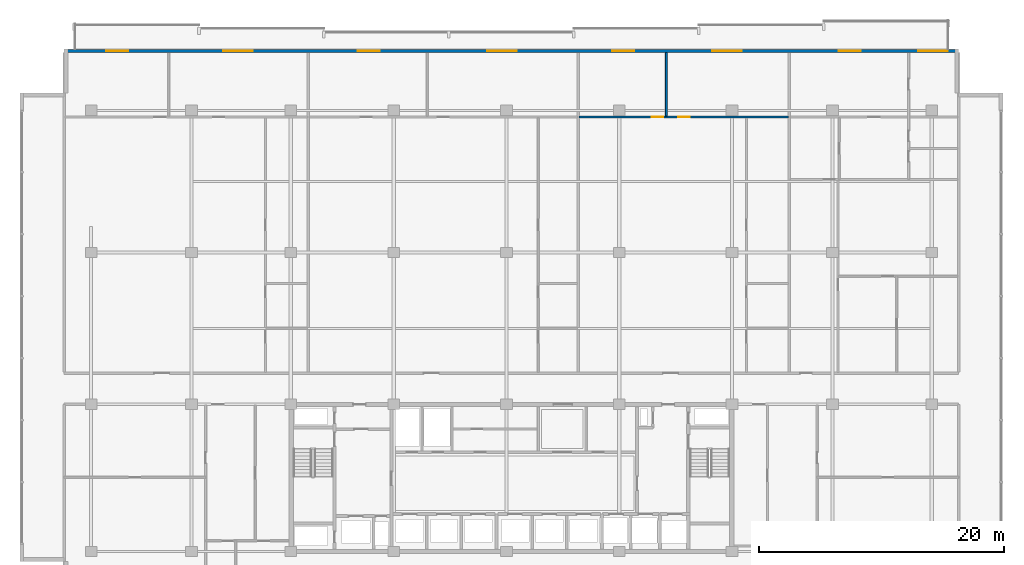
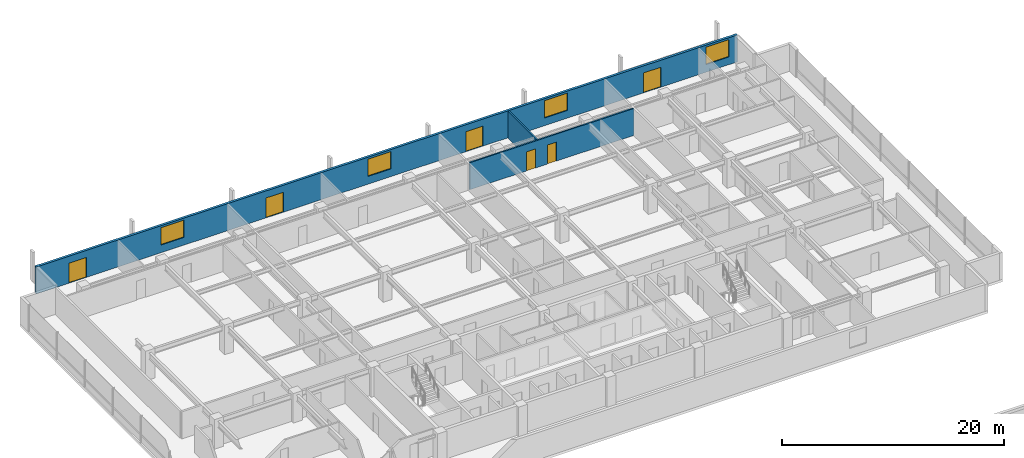
# One storey, part 31 of 38: 6 doors, 4 windows, 3 walls, 10 openings.
"""IFC4 building model written with IfcOpenShell, lengths in metres."""

from ifc_helpers import new_model, si_unit, direction, frame, frame_2d, origin, place, context, subcontext, project, spatial, rectangle, extrude, material, layer, layer_set, type_object, element, fill, save


model = new_model("IFC4")

# Units and contexts
model_context = context("Model", 3, precision=1e-05, world=origin(), true_north=direction((0.0, 1.0)))
body_context = subcontext(model_context, "Body", "Model", "MODEL_VIEW")
ifc_project = project(units=[si_unit("LENGTHUNIT", "METRE"), si_unit("AREAUNIT", "SQUARE_METRE"), si_unit("VOLUMEUNIT", "CUBIC_METRE"), si_unit("PLANEANGLEUNIT", "RADIAN"), si_unit("MASSUNIT", "GRAM", prefix="KILO")], contexts=[model_context])

# Site, building, storey
site_placement = place(None, origin())
site = spatial("IfcSite", under=ifc_project, at=site_placement, CompositionType="ELEMENT")
building_placement = place(site_placement, origin())
building = spatial("IfcBuilding", under=site, at=building_placement, Name="Korimba Cascade Residences", CompositionType="ELEMENT")
storey_placement = place(building_placement, frame((0.0, 0.0, 93.800048828125)))
storey = spatial("IfcBuildingStorey", under=building, at=storey_placement, Name="L26", CompositionType="ELEMENT", Elevation=93.800048828125)

# Wall, openings, doors, windows
ifc_material_1 = material(Name="Precast concrete C40/50", Category="concrete")
ifc_layer_1 = layer(ifc_material_1, 0.25)
ifc_layer_set_1 = layer_set([ifc_layer_1], Name="Precast concrete C40/50")
wall_type_1 = type_object("IfcWallType", Name="EW-LOG-250", PredefinedType="STANDARD", material=ifc_layer_set_1)
wall_1_placement = place(storey_placement, frame((130.60009765625, 96.050048828125, 0.0), z_axis=(0.0, 0.0, 1.0), x_axis=(-1.0, 0.0, 0.0)))
wall_1 = element("IfcWall", 1, at=wall_1_placement, inside=storey, type_object=wall_type_1, Name="L26 T1 Perimeter Stone Wall E06", PredefinedType="STANDARD", context=body_context, shape_type="SweptSolid", body=[
    extrude(rectangle(XDim=73.0, YDim=0.25, at=frame_2d((36.5, 0.0))), origin(), (0.0, 0.0, 1.0), 2.969970703125),
])
opening_1_placement = place(wall_1_placement, frame((67.767822265625, 0.0, 0.0)))
opening_1 = element("IfcOpeningElement", 2, at=opening_1_placement, cuts=wall_1, Name="Opening D-LG1", PredefinedType="OPENING", context=body_context, shape_type="SweptSolid", body=[
    extrude(rectangle(XDim=1.800048828125, YDim=2.199951171875, at=frame_2d((0.89990234375, 1.10009765625))), frame((0.0, 0.135009765625, 0.0), z_axis=(0.0, -1.0, 0.0), x_axis=(1.0, 0.0, 0.0)), (0.0, 0.0, 1.0), 0.27001953125),
])
opening_2_placement = place(wall_1_placement, frame((57.623779296875, 0.0, 0.85009765625)))
opening_2 = element("IfcOpeningElement", 3, at=opening_2_placement, cuts=wall_1, Name="Opening W-01", PredefinedType="OPENING", context=body_context, shape_type="SweptSolid", body=[
    extrude(rectangle(XDim=2.39990234375, YDim=1.89990234375, at=frame_2d((1.199951171875, 0.949951171875))), frame((0.0, 0.135009765625, 0.0), z_axis=(0.0, -1.0, 0.0), x_axis=(1.0, 0.0, 0.0)), (0.0, 0.0, 1.0), 0.27001953125),
])
opening_3_placement = place(wall_1_placement, frame((47.256591796875, 0.0, 0.0)))
opening_3 = element("IfcOpeningElement", 4, at=opening_3_placement, cuts=wall_1, Name="Opening D-LG1", PredefinedType="OPENING", context=body_context, shape_type="SweptSolid", body=[
    extrude(rectangle(XDim=1.800048828125, YDim=2.199951171875, at=frame_2d((0.89990234375, 1.10009765625))), frame((0.0, 0.135009765625, 0.0), z_axis=(0.0, -1.0, 0.0), x_axis=(1.0, 0.0, 0.0)), (0.0, 0.0, 1.0), 0.27001953125),
])
opening_4_placement = place(wall_1_placement, frame((36.06201171875, 0.0, 0.85009765625)))
opening_4 = element("IfcOpeningElement", 5, at=opening_4_placement, cuts=wall_1, Name="Opening W-01", PredefinedType="OPENING", context=body_context, shape_type="SweptSolid", body=[
    extrude(rectangle(XDim=2.39990234375, YDim=1.89990234375, at=frame_2d((1.199951171875, 0.949951171875))), frame((0.0, 0.135009765625, 0.0), z_axis=(0.0, -1.0, 0.0), x_axis=(1.0, 0.0, 0.0)), (0.0, 0.0, 1.0), 0.27001953125),
])
opening_5_placement = place(wall_1_placement, frame((26.48583984375, 0.0, 0.0)))
opening_5 = element("IfcOpeningElement", 6, at=opening_5_placement, cuts=wall_1, Name="Opening D-LG1", PredefinedType="OPENING", context=body_context, shape_type="SweptSolid", body=[
    extrude(rectangle(XDim=1.800048828125, YDim=2.199951171875, at=frame_2d((0.89990234375, 1.10009765625))), frame((0.0, 0.135009765625, 0.0), z_axis=(0.0, -1.0, 0.0), x_axis=(1.0, 0.0, 0.0)), (0.0, 0.0, 1.0), 0.27001953125),
])
opening_6_placement = place(wall_1_placement, frame((17.693603515625, 0.0, 0.85009765625)))
opening_6 = element("IfcOpeningElement", 7, at=opening_6_placement, cuts=wall_1, Name="Opening W-01", PredefinedType="OPENING", context=body_context, shape_type="SweptSolid", body=[
    extrude(rectangle(XDim=2.39990234375, YDim=1.89990234375, at=frame_2d((1.199951171875, 0.949951171875))), frame((0.0, 0.135009765625, 0.0), z_axis=(0.0, -1.0, 0.0), x_axis=(1.0, 0.0, 0.0)), (0.0, 0.0, 1.0), 0.27001953125),
])
opening_7_placement = place(wall_1_placement, frame((7.98876953125, 0.0, 0.0)))
opening_7 = element("IfcOpeningElement", 8, at=opening_7_placement, cuts=wall_1, Name="Opening D-LG1", PredefinedType="OPENING", context=body_context, shape_type="SweptSolid", body=[
    extrude(rectangle(XDim=1.800048828125, YDim=2.199951171875, at=frame_2d((0.89990234375, 1.10009765625))), frame((0.0, 0.135009765625, 0.0), z_axis=(0.0, -1.0, 0.0), x_axis=(1.0, 0.0, 0.0)), (0.0, 0.0, 1.0), 0.27001953125),
])
opening_8_placement = place(wall_1_placement, frame((0.89990234375, 0.0, 0.85009765625)))
opening_8 = element("IfcOpeningElement", 9, at=opening_8_placement, cuts=wall_1, Name="Opening W-01", PredefinedType="OPENING", context=body_context, shape_type="SweptSolid", body=[
    extrude(rectangle(XDim=2.39990234375, YDim=1.89990234375, at=frame_2d((1.199951171875, 0.949951171875))), frame((0.0, 0.135009765625, 0.0), z_axis=(0.0, -1.0, 0.0), x_axis=(1.0, 0.0, 0.0)), (0.0, 0.0, 1.0), 0.27001953125),
])
ifc_material_2 = material(Name="Glazed Aluminium Loggia Sliding Door", Category="aluminium")
door_type_1 = type_object("IfcDoorType", Name="DR-EXT-LOG", OperationType="NOTDEFINED", PredefinedType="DOOR", material=ifc_material_2)
door_1_placement = place(opening_1_placement, origin())
door_1 = element("IfcDoor", 10, at=door_1_placement, inside=storey, type_object=door_type_1, Name="L26 T1 Loggia Sliding Door 3", OperationType="SLIDING_TO_LEFT", OverallHeight=2.199951171875, OverallWidth=1.800048828125, PredefinedType="DOOR", context=body_context, shape_type="SweptSolid", body=[
    extrude(rectangle(XDim=1.800048828125, YDim=2.199951171875, at=frame_2d((0.89990234375, 1.10009765625))), frame((0.0, 0.02490234375, 0.0), z_axis=(0.0, -1.0, 0.0), x_axis=(1.0, 0.0, 0.0)), (0.0, 0.0, 1.0), 0.050048828125),
])
fill(opening_1, door_1)
door_2_placement = place(opening_3_placement, origin())
door_2 = element("IfcDoor", 11, at=door_2_placement, inside=storey, type_object=door_type_1, Name="L26 T1 Loggia Sliding Door 5", OperationType="SLIDING_TO_LEFT", OverallHeight=2.199951171875, OverallWidth=1.800048828125, PredefinedType="DOOR", context=body_context, shape_type="SweptSolid", body=[
    extrude(rectangle(XDim=1.800048828125, YDim=2.199951171875, at=frame_2d((0.89990234375, 1.10009765625))), frame((0.0, 0.02490234375, 0.0), z_axis=(0.0, -1.0, 0.0), x_axis=(1.0, 0.0, 0.0)), (0.0, 0.0, 1.0), 0.050048828125),
])
fill(opening_3, door_2)
door_3_placement = place(opening_5_placement, origin())
door_3 = element("IfcDoor", 12, at=door_3_placement, inside=storey, type_object=door_type_1, Name="L26 T1 Loggia Sliding Door 7", OperationType="SLIDING_TO_LEFT", OverallHeight=2.199951171875, OverallWidth=1.800048828125, PredefinedType="DOOR", context=body_context, shape_type="SweptSolid", body=[
    extrude(rectangle(XDim=1.800048828125, YDim=2.199951171875, at=frame_2d((0.89990234375, 1.10009765625))), frame((0.0, 0.02490234375, 0.0), z_axis=(0.0, -1.0, 0.0), x_axis=(1.0, 0.0, 0.0)), (0.0, 0.0, 1.0), 0.050048828125),
])
fill(opening_5, door_3)
door_4_placement = place(opening_7_placement, origin())
door_4 = element("IfcDoor", 13, at=door_4_placement, inside=storey, type_object=door_type_1, Name="L26 T1 Loggia Sliding Door 9", OperationType="SLIDING_TO_LEFT", OverallHeight=2.199951171875, OverallWidth=1.800048828125, PredefinedType="DOOR", context=body_context, shape_type="SweptSolid", body=[
    extrude(rectangle(XDim=1.800048828125, YDim=2.199951171875, at=frame_2d((0.89990234375, 1.10009765625))), frame((0.0, 0.02490234375, 0.0), z_axis=(0.0, -1.0, 0.0), x_axis=(1.0, 0.0, 0.0)), (0.0, 0.0, 1.0), 0.050048828125),
])
fill(opening_7, door_4)
ifc_material_3 = material(Name="Double-Glazed Aluminium Window", Category="aluminium")
window_type = type_object("IfcWindowType", Name="WIN-RES-2400", PartitioningType="DOUBLE_PANEL_VERTICAL", PredefinedType="WINDOW", material=ifc_material_3)
window_1_placement = place(opening_2_placement, origin())
window_1 = element("IfcWindow", 14, at=window_1_placement, inside=storey, type_object=window_type, Name="L26 T1 North Facade Window 4", OverallHeight=1.89990234375, OverallWidth=2.39990234375, PartitioningType="DOUBLE_PANEL_VERTICAL", PredefinedType="WINDOW", context=body_context, shape_type="SweptSolid", body=[
    extrude(rectangle(XDim=2.39990234375, YDim=1.89990234375, at=frame_2d((1.199951171875, 0.949951171875))), frame((0.0, 0.030029296875, 0.0), z_axis=(0.0, -1.0, 0.0), x_axis=(1.0, 0.0, 0.0)), (0.0, 0.0, 1.0), 0.06005859375),
])
fill(opening_2, window_1)
window_2_placement = place(opening_4_placement, origin())
window_2 = element("IfcWindow", 15, at=window_2_placement, inside=storey, type_object=window_type, Name="L26 T1 North Facade Window 6", OverallHeight=1.89990234375, OverallWidth=2.39990234375, PartitioningType="DOUBLE_PANEL_VERTICAL", PredefinedType="WINDOW", context=body_context, shape_type="SweptSolid", body=[
    extrude(rectangle(XDim=2.39990234375, YDim=1.89990234375, at=frame_2d((1.199951171875, 0.949951171875))), frame((0.0, 0.030029296875, 0.0), z_axis=(0.0, -1.0, 0.0), x_axis=(1.0, 0.0, 0.0)), (0.0, 0.0, 1.0), 0.06005859375),
])
fill(opening_4, window_2)
window_3_placement = place(opening_6_placement, origin())
window_3 = element("IfcWindow", 16, at=window_3_placement, inside=storey, type_object=window_type, Name="L26 T1 North Facade Window 8", OverallHeight=1.89990234375, OverallWidth=2.39990234375, PartitioningType="DOUBLE_PANEL_VERTICAL", PredefinedType="WINDOW", context=body_context, shape_type="SweptSolid", body=[
    extrude(rectangle(XDim=2.39990234375, YDim=1.89990234375, at=frame_2d((1.199951171875, 0.949951171875))), frame((0.0, 0.030029296875, 0.0), z_axis=(0.0, -1.0, 0.0), x_axis=(1.0, 0.0, 0.0)), (0.0, 0.0, 1.0), 0.06005859375),
])
fill(opening_6, window_3)
window_4_placement = place(opening_8_placement, origin())
window_4 = element("IfcWindow", 17, at=window_4_placement, inside=storey, type_object=window_type, Name="L26 T1 North Facade Window 10", OverallHeight=1.89990234375, OverallWidth=2.39990234375, PartitioningType="DOUBLE_PANEL_VERTICAL", PredefinedType="WINDOW", context=body_context, shape_type="SweptSolid", body=[
    extrude(rectangle(XDim=2.39990234375, YDim=1.89990234375, at=frame_2d((1.199951171875, 0.949951171875))), frame((0.0, 0.030029296875, 0.0), z_axis=(0.0, -1.0, 0.0), x_axis=(1.0, 0.0, 0.0)), (0.0, 0.0, 1.0), 0.06005859375),
])
fill(opening_8, window_4)

# Wall
ifc_material_4 = material(Name="Insulated Acoustic Stud Partition", Category="gypsum")
ifc_layer_2 = layer(ifc_material_4, 0.14990234375)
ifc_layer_set_2 = layer_set([ifc_layer_2], Name="Insulated Acoustic Stud Partition")
wall_type_2 = type_object("IfcWallType", Name="WAL-PART-150", PredefinedType="PARTITIONING", material=ifc_layer_set_2)
wall_2_placement = place(storey_placement, frame((106.750244140625, 90.72998046875, 0.0), z_axis=(0.0, 0.0, 1.0), x_axis=(0.0, 1.0, 0.0)))
element("IfcWall", 18, at=wall_2_placement, inside=storey, type_object=wall_type_2, Name="L26 Partition Wall WAL-L26-T1-U03-OUTV", PredefinedType="PARTITIONING", context=body_context, shape_type="SweptSolid", body=[
    extrude(rectangle(XDim=5.169921875, YDim=0.14990234375, at=frame_2d((2.5849609375, 0.0))), origin(), (0.0, 0.0, 1.0), 2.969970703125),
])

# Wall, openings, doors
wall_3_placement = place(storey_placement, frame((99.637939453125, 90.64990234375, 0.0), z_axis=(0.0, 0.0, 1.0), x_axis=(1.0, 0.0, 0.0)))
wall_3 = element("IfcWall", 19, at=wall_3_placement, inside=storey, type_object=wall_type_2, Name="L26 Partition Wall WAL-L26-T1-U03-HZ", PredefinedType="PARTITIONING", context=body_context, shape_type="SweptSolid", body=[
    extrude(rectangle(XDim=17.064697265625, YDim=0.14990234375, at=frame_2d((8.5322265625, 0.0))), origin(), (0.0, 0.0, 1.0), 2.969970703125),
])
opening_9_placement = place(wall_3_placement, frame((5.92236328125, 0.0, 0.0)))
opening_9 = element("IfcOpeningElement", 20, at=opening_9_placement, cuts=wall_3, Name="Opening D-IN0", PredefinedType="OPENING", context=body_context, shape_type="SweptSolid", body=[
    extrude(rectangle(XDim=0.93994140625, YDim=2.10009765625, at=frame_2d((0.469970703125, 1.050048828125))), frame((0.0, 0.0849609375, 0.0), z_axis=(0.0, -1.0, 0.0), x_axis=(1.0, 0.0, 0.0)), (0.0, 0.0, 1.0), 0.169921875),
])
opening_10_placement = place(wall_3_placement, frame((8.062255859375, 0.0, 0.0)))
opening_10 = element("IfcOpeningElement", 21, at=opening_10_placement, cuts=wall_3, Name="Opening D-IN0", PredefinedType="OPENING", context=body_context, shape_type="SweptSolid", body=[
    extrude(rectangle(XDim=0.93994140625, YDim=2.10009765625, at=frame_2d((0.469970703125, 1.050048828125))), frame((0.0, 0.0849609375, 0.0), z_axis=(0.0, -1.0, 0.0), x_axis=(1.0, 0.0, 0.0)), (0.0, 0.0, 1.0), 0.169921875),
])
ifc_material_5 = material(Name="Acoustic Timber Living Archway Door", Category="wood")
door_type_2 = type_object("IfcDoorType", Name="DR-INT-950", OperationType="NOTDEFINED", PredefinedType="DOOR", material=ifc_material_5)
door_5_placement = place(opening_9_placement, origin())
door_5 = element("IfcDoor", 22, at=door_5_placement, inside=storey, type_object=door_type_2, Name="L26-T1-U03 Resident Boardroom Door", OperationType="SINGLE_SWING_LEFT", OverallHeight=2.10009765625, OverallWidth=0.93994140625, PredefinedType="DOOR", context=body_context, shape_type="SweptSolid", body=[
    extrude(rectangle(XDim=0.93994140625, YDim=2.10009765625, at=frame_2d((0.469970703125, 1.050048828125))), frame((0.0, 0.02490234375, 0.0), z_axis=(0.0, -1.0, 0.0), x_axis=(1.0, 0.0, 0.0)), (0.0, 0.0, 1.0), 0.050048828125),
])
fill(opening_9, door_5)
door_6_placement = place(opening_10_placement, origin())
door_6 = element("IfcDoor", 23, at=door_6_placement, inside=storey, type_object=door_type_2, Name="L26-T1-U03 Executive Seminar Room Door", OperationType="SINGLE_SWING_RIGHT", OverallHeight=2.10009765625, OverallWidth=0.93994140625, PredefinedType="DOOR", context=body_context, shape_type="SweptSolid", body=[
    extrude(rectangle(XDim=0.93994140625, YDim=2.10009765625, at=frame_2d((0.469970703125, 1.050048828125))), frame((0.0, 0.02490234375, 0.0), z_axis=(0.0, -1.0, 0.0), x_axis=(1.0, 0.0, 0.0)), (0.0, 0.0, 1.0), 0.050048828125),
])
fill(opening_10, door_6)

save(model, "model.ifc")
